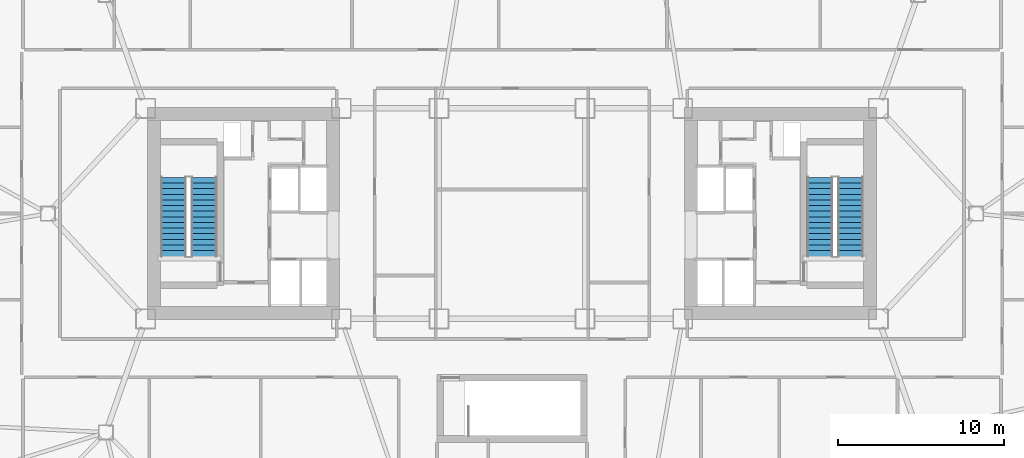
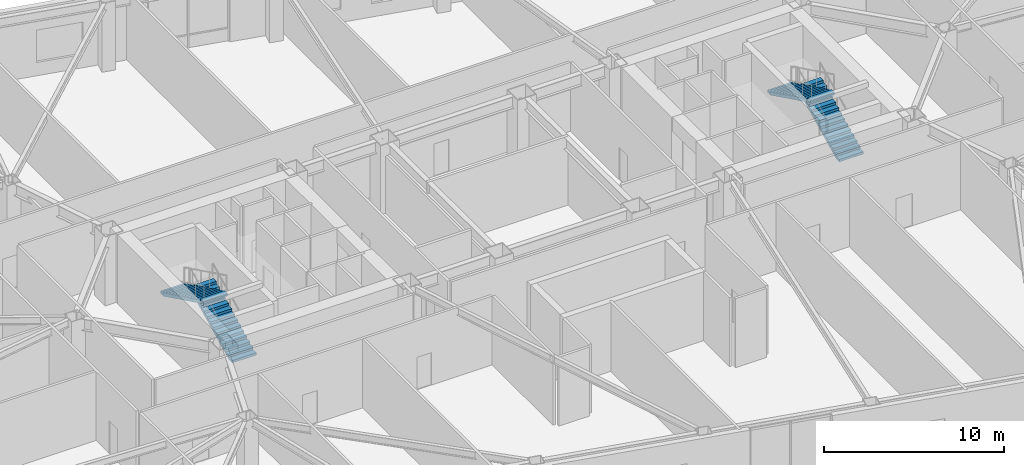
# One storey, part 14 of 19: 4 stair flights, 2 elements without a shape of their own.
"""IFC4 building model written with IfcOpenShell, lengths in metres."""

from ifc_helpers import new_model, si_unit, direction, frame, origin, place, context, subcontext, project, spatial, polyline, outline, extrude, material, type_object, element, aggregate, save


model = new_model("IFC4")

# Units and contexts
model_context = context("Model", 3, precision=1e-05, world=origin(), true_north=direction((0.0, 1.0)))
body_context = subcontext(model_context, "Body", "Model", "MODEL_VIEW")
ifc_project = project(units=[si_unit("LENGTHUNIT", "METRE"), si_unit("AREAUNIT", "SQUARE_METRE"), si_unit("VOLUMEUNIT", "CUBIC_METRE"), si_unit("PLANEANGLEUNIT", "RADIAN"), si_unit("MASSUNIT", "GRAM", prefix="KILO")], contexts=[model_context])

# Site, building, storey
site_placement = place(None, origin())
site = spatial("IfcSite", under=ifc_project, at=site_placement, CompositionType="ELEMENT")
building_placement = place(site_placement, origin())
building = spatial("IfcBuilding", under=site, at=building_placement, Name="Tavrogorsk Clinical Tower", CompositionType="ELEMENT")
storey_placement = place(building_placement, frame((0.0, 0.0, 28.39990234375)))
storey = spatial("IfcBuildingStorey", under=building, at=storey_placement, Name="L05", CompositionType="ELEMENT", Elevation=28.39990234375)

# Stair, stair flights
ifc_material_1 = material(Name="Concrete B60", Category="concrete")
stair_type = type_object("IfcStairType", Name="CoreStairAssembly", PredefinedType="HALF_TURN_STAIR", material=ifc_material_1)
stair_1_placement = place(storey_placement, origin())
stair_1 = element("IfcStair", 1, at=stair_1_placement, inside=storey, type_object=stair_type, Name="L05 ST-W", PredefinedType="HALF_TURN_STAIR")
ifc_material_2 = material(Name="Concrete B60", Category="concrete")
stair_flight_type = type_object("IfcStairFlightType", Name="CoreStairFlight", PredefinedType="STRAIGHT", material=ifc_material_2)
stair_flight_1_placement = place(storey_placement, frame((-18.574951171875, -2.574951171875, 0.0), z_axis=(0.0, 0.0, 1.0), x_axis=(0.0, 1.0, 0.0)))
stair_flight_1 = element("IfcStairFlight", 2, at=stair_flight_1_placement, type_object=stair_flight_type, Name="ST-W flight 1", NumberOfRisers=15, NumberOfTreads=14, PredefinedType="STRAIGHT", RiserHeight=0.166666667, TreadLength=0.34, context=body_context, shape_type="SweptSolid", body=[
    extrude(outline(polyline([(0.0, 0.0), (0.0, 0.166748046875), (0.340087890625, 0.166748046875), (0.340087890625, 0.333251953125), (0.679931640625, 0.333251953125), (0.679931640625, 0.5), (1.02001953125, 0.5), (1.02001953125, 0.666748046875), (1.360107421875, 0.666748046875), (1.360107421875, 0.833251953125), (1.699951171875, 0.833251953125), (1.699951171875, 1.0), (2.0400390625, 1.0), (2.0400390625, 1.166748046875), (2.3798828125, 1.166748046875), (2.3798828125, 1.333251953125), (2.719970703125, 1.333251953125), (2.719970703125, 1.5), (3.06005859375, 1.5), (3.06005859375, 1.666748046875), (3.39990234375, 1.666748046875), (3.39990234375, 1.833251953125), (3.739990234375, 1.833251953125), (3.739990234375, 2.0), (4.080078125, 2.0), (4.080078125, 2.166748046875), (4.419921875, 2.166748046875), (4.419921875, 2.333251953125), (4.760009765625, 2.333251953125), (4.760009765625, 2.5), (4.760009765625, 2.16650390625), (0.340576171875, 0.0), (0.0, 0.0)])), frame((0.0, 0.77490234375, 0.0), z_axis=(0.0, -1.0, 0.0), x_axis=(1.0, 0.0, 0.0)), (0.0, 0.0, 1.0), 1.550048828125),
])
stair_flight_2_placement = place(storey_placement, frame((-20.425048828125, 2.18505859375, 2.5), z_axis=(0.0, 0.0, 1.0), x_axis=(0.0, -1.0, 0.0)))
stair_flight_2 = element("IfcStairFlight", 3, at=stair_flight_2_placement, type_object=stair_flight_type, Name="ST-W flight 2", NumberOfRisers=15, NumberOfTreads=14, PredefinedType="STRAIGHT", RiserHeight=0.166666667, TreadLength=0.34, context=body_context, shape_type="SweptSolid", body=[
    extrude(outline(polyline([(0.0, 0.0), (0.0, 0.166748046875), (0.340087890625, 0.166748046875), (0.340087890625, 0.333251953125), (0.679931640625, 0.333251953125), (0.679931640625, 0.5), (1.02001953125, 0.5), (1.02001953125, 0.666748046875), (1.360107421875, 0.666748046875), (1.360107421875, 0.833251953125), (1.699951171875, 0.833251953125), (1.699951171875, 1.0), (2.0400390625, 1.0), (2.0400390625, 1.166748046875), (2.3798828125, 1.166748046875), (2.3798828125, 1.333251953125), (2.719970703125, 1.333251953125), (2.719970703125, 1.5), (3.06005859375, 1.5), (3.06005859375, 1.666748046875), (3.39990234375, 1.666748046875), (3.39990234375, 1.833251953125), (3.739990234375, 1.833251953125), (3.739990234375, 2.0), (4.080078125, 2.0), (4.080078125, 2.166748046875), (4.419921875, 2.166748046875), (4.419921875, 2.333251953125), (4.760009765625, 2.333251953125), (4.760009765625, 2.5), (4.760009765625, 2.16650390625), (0.340576171875, 0.0), (0.0, 0.0)])), frame((0.0, 0.77490234375, 0.0), z_axis=(0.0, -1.0, 0.0), x_axis=(1.0, 0.0, 0.0)), (0.0, 0.0, 1.0), 1.550048828125),
])
aggregate(stair_1, [stair_flight_1, stair_flight_2])

stair_2_placement = place(storey_placement, origin())
stair_2 = element("IfcStair", 4, at=stair_2_placement, inside=storey, type_object=stair_type, Name="L05 ST-E", PredefinedType="HALF_TURN_STAIR")
stair_flight_3_placement = place(storey_placement, frame((20.425048828125, -2.574951171875, 0.0), z_axis=(0.0, 0.0, 1.0), x_axis=(0.0, 1.0, 0.0)))
stair_flight_3 = element("IfcStairFlight", 5, at=stair_flight_3_placement, type_object=stair_flight_type, Name="ST-E flight 1", NumberOfRisers=15, NumberOfTreads=14, PredefinedType="STRAIGHT", RiserHeight=0.166666667, TreadLength=0.34, context=body_context, shape_type="SweptSolid", body=[
    extrude(outline(polyline([(0.0, 0.0), (0.0, 0.166748046875), (0.340087890625, 0.166748046875), (0.340087890625, 0.333251953125), (0.679931640625, 0.333251953125), (0.679931640625, 0.5), (1.02001953125, 0.5), (1.02001953125, 0.666748046875), (1.360107421875, 0.666748046875), (1.360107421875, 0.833251953125), (1.699951171875, 0.833251953125), (1.699951171875, 1.0), (2.0400390625, 1.0), (2.0400390625, 1.166748046875), (2.3798828125, 1.166748046875), (2.3798828125, 1.333251953125), (2.719970703125, 1.333251953125), (2.719970703125, 1.5), (3.06005859375, 1.5), (3.06005859375, 1.666748046875), (3.39990234375, 1.666748046875), (3.39990234375, 1.833251953125), (3.739990234375, 1.833251953125), (3.739990234375, 2.0), (4.080078125, 2.0), (4.080078125, 2.166748046875), (4.419921875, 2.166748046875), (4.419921875, 2.333251953125), (4.760009765625, 2.333251953125), (4.760009765625, 2.5), (4.760009765625, 2.16650390625), (0.340576171875, 0.0), (0.0, 0.0)])), frame((0.0, 0.77490234375, 0.0), z_axis=(0.0, -1.0, 0.0), x_axis=(1.0, 0.0, 0.0)), (0.0, 0.0, 1.0), 1.550048828125),
])
stair_flight_4_placement = place(storey_placement, frame((18.574951171875, 2.18505859375, 2.5), z_axis=(0.0, 0.0, 1.0), x_axis=(0.0, -1.0, 0.0)))
stair_flight_4 = element("IfcStairFlight", 6, at=stair_flight_4_placement, type_object=stair_flight_type, Name="ST-E flight 2", NumberOfRisers=15, NumberOfTreads=14, PredefinedType="STRAIGHT", RiserHeight=0.166666667, TreadLength=0.34, context=body_context, shape_type="SweptSolid", body=[
    extrude(outline(polyline([(0.0, 0.0), (0.0, 0.166748046875), (0.340087890625, 0.166748046875), (0.340087890625, 0.333251953125), (0.679931640625, 0.333251953125), (0.679931640625, 0.5), (1.02001953125, 0.5), (1.02001953125, 0.666748046875), (1.360107421875, 0.666748046875), (1.360107421875, 0.833251953125), (1.699951171875, 0.833251953125), (1.699951171875, 1.0), (2.0400390625, 1.0), (2.0400390625, 1.166748046875), (2.3798828125, 1.166748046875), (2.3798828125, 1.333251953125), (2.719970703125, 1.333251953125), (2.719970703125, 1.5), (3.06005859375, 1.5), (3.06005859375, 1.666748046875), (3.39990234375, 1.666748046875), (3.39990234375, 1.833251953125), (3.739990234375, 1.833251953125), (3.739990234375, 2.0), (4.080078125, 2.0), (4.080078125, 2.166748046875), (4.419921875, 2.166748046875), (4.419921875, 2.333251953125), (4.760009765625, 2.333251953125), (4.760009765625, 2.5), (4.760009765625, 2.16650390625), (0.340576171875, 0.0), (0.0, 0.0)])), frame((0.0, 0.77490234375, 0.0), z_axis=(0.0, -1.0, 0.0), x_axis=(1.0, 0.0, 0.0)), (0.0, 0.0, 1.0), 1.550048828125),
])
aggregate(stair_2, [stair_flight_3, stair_flight_4])

save(model, "model.ifc")
